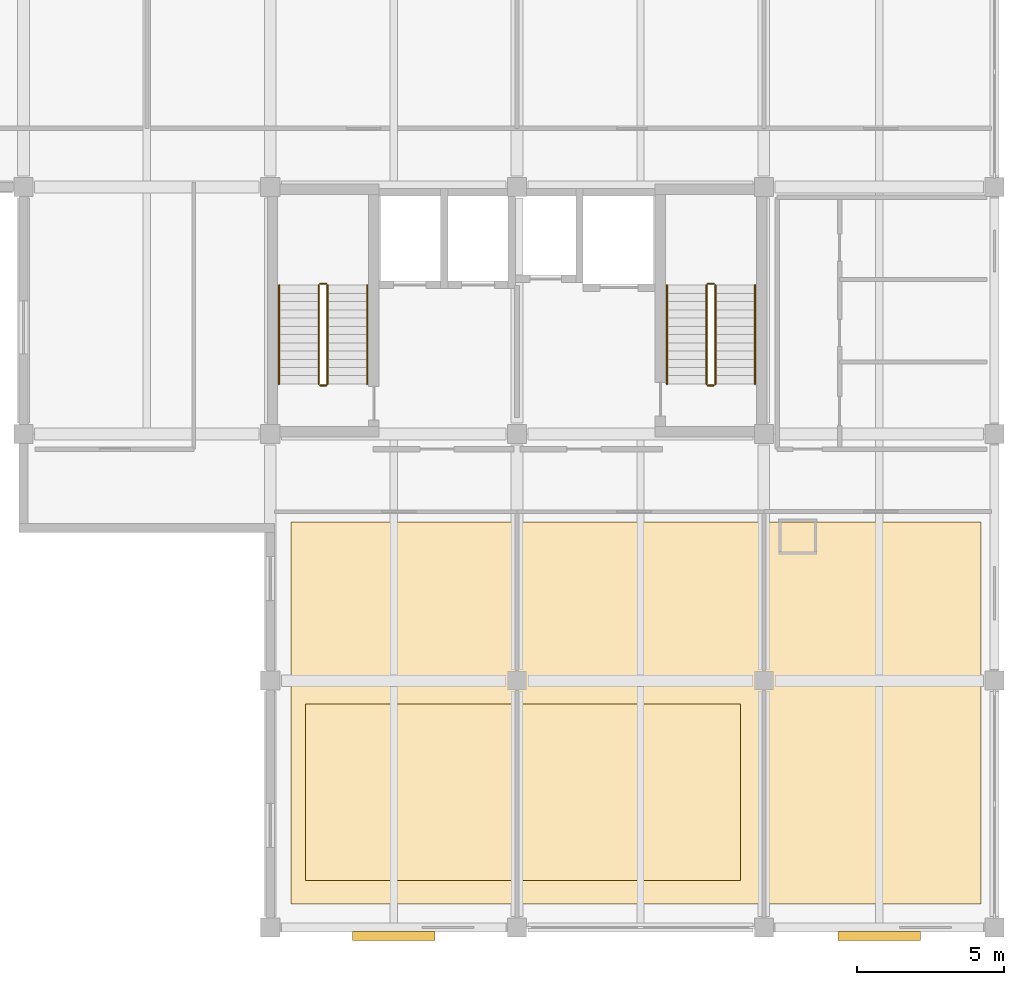
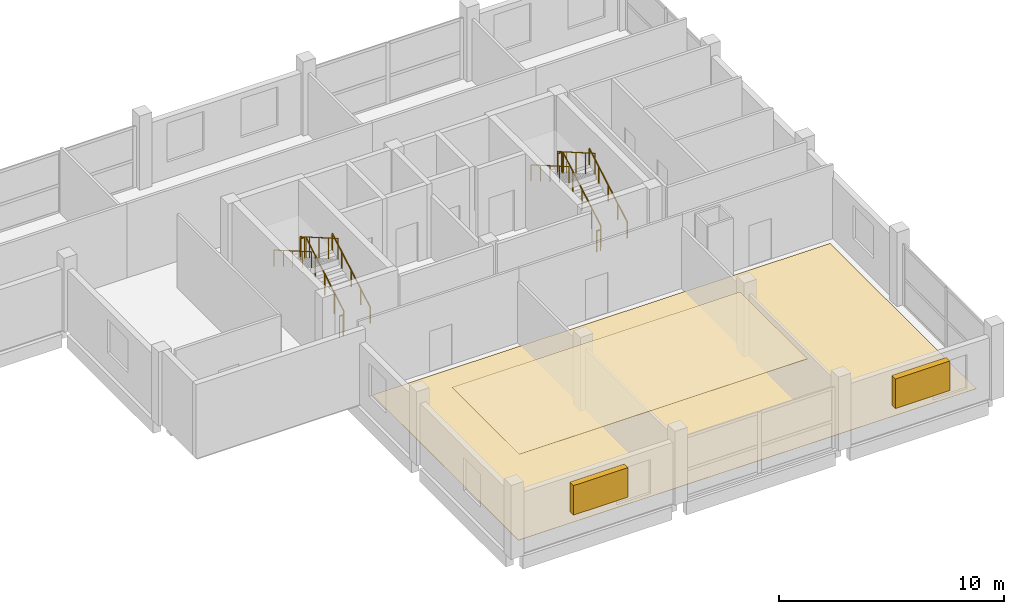
# One storey, part 9 of 9: 12 railings, 2 coverings, 2 shading devices.
"""IFC4 building model written with IfcOpenShell, lengths in metres."""

from ifc_helpers import new_model, si_unit, direction, frame, origin, origin_2d, place, context, subcontext, project, spatial, polyline, rectangle, circle, outline, extrude, material, layer, layer_set, type_object, element, save


model = new_model("IFC4")

# Units and contexts
model_context = context("Model", 3, precision=1e-05, world=origin(), true_north=direction((0.0, 1.0)))
body_context = subcontext(model_context, "Body", "Model", "MODEL_VIEW")
ifc_project = project(units=[si_unit("LENGTHUNIT", "METRE"), si_unit("AREAUNIT", "SQUARE_METRE"), si_unit("VOLUMEUNIT", "CUBIC_METRE"), si_unit("PLANEANGLEUNIT", "RADIAN"), si_unit("MASSUNIT", "GRAM", prefix="KILO")], contexts=[model_context])

# Site, building, storey
site_placement = place(None, origin())
site = spatial("IfcSite", under=ifc_project, at=site_placement, CompositionType="ELEMENT")
building_placement = place(site_placement, origin())
building = spatial("IfcBuilding", under=site, at=building_placement, Name="Brinegate Botanical Conservatory", CompositionType="ELEMENT")
storey_placement = place(building_placement, frame((0.0, 0.0, 57.0)))
storey = spatial("IfcBuildingStorey", under=building, at=storey_placement, Name="L14", CompositionType="ELEMENT", Elevation=57.0)

# Coverings
ifc_material_1 = material(Name="Moisture-resistant acoustic mineral-fibre ceiling board", Category="gypsum")
ifc_layer_1 = layer(ifc_material_1, 0.02001953125, Name="Moisture-resistant acoustic mineral-fibre ceiling board", Category="gypsum")
ifc_layer_set_1 = layer_set([ifc_layer_1], Name="Moisture-resistant acoustic mineral-fibre ceiling board")
covering_type_1 = type_object("IfcCoveringType", Name="Cov_CLG-LAB", PredefinedType="CEILING", material=ifc_layer_set_1)
covering_1_placement = place(storey_placement, frame((0.0, 0.0, 4.0)))
element("IfcCovering", 1, at=covering_1_placement, inside=storey, type_object=covering_type_1, Name="Laboratory acoustic mineral-fibre ceiling L14", PredefinedType="CEILING", context=body_context, shape_type="SweptSolid", body=[
    extrude(outline(polyline([(140.0, 80.0), (154.800048828125, 80.0), (154.800048828125, 86.0), (140.0, 86.0), (140.0, 80.0)])), origin(), (0.0, 0.0, 1.0), 0.02001953125),
])
ifc_material_2 = material(Name="Seamless chemical-resistant terrazzo and epoxy flooring", Category="concrete")
ifc_layer_2 = layer(ifc_material_2, 0.014892578125, Name="Seamless chemical-resistant terrazzo and epoxy flooring", Category="concrete")
ifc_layer_set_2 = layer_set([ifc_layer_2], Name="Seamless chemical-resistant terrazzo and epoxy flooring")
covering_type_2 = type_object("IfcCoveringType", Name="Cov_FLR-LAB", PredefinedType="FLOORING", material=ifc_layer_set_2)
covering_2_placement = place(storey_placement, origin())
element("IfcCovering", 2, at=covering_2_placement, inside=storey, type_object=covering_type_2, Name="Laboratory seamless terrazzo floor finish L14", PredefinedType="FLOORING", context=body_context, shape_type="SweptSolid", body=[
    extrude(outline(polyline([(139.5, 79.199951171875), (163.0, 79.199951171875), (163.0, 92.199951171875), (139.5, 92.199951171875), (139.5, 79.199951171875)])), origin(), (0.0, 0.0, 1.0), 0.014892578125),
])

# Railings
ifc_material_3 = material(Name="Structural steel Q355B / S355 painted tubular guardrail", Category="steel")
railing_type_1 = type_object("IfcRailingType", Name="Rail_ST-GRD", PredefinedType="GUARDRAIL", material=ifc_material_3)
railing_1_placement = place(storey_placement, frame((140.75, 96.89990234375, 0.16162109375)))
element("IfcRailing", 3, at=railing_1_placement, inside=storey, type_object=railing_type_1, Name="L14 ST1 stair guard 1", PredefinedType="GUARDRAIL", context=body_context, shape_type="SweptSolid", body=[
    extrude(circle(Radius=0.02392578125, at=origin_2d()), frame((0.0, 0.0, 1.1259765625), z_axis=(0.0, 0.866190824863, 0.499713372768), x_axis=(-1.0, 0.0, 0.0)), (0.0, 0.0, 1.0), 3.879150390625),
    extrude(circle(Radius=0.02099609375, at=origin_2d()), origin(), (0.0, 0.0, 1.0), 1.101806640625),
    extrude(circle(Radius=0.02099609375, at=origin_2d()), frame((0.0, 0.840087890625, 0.484619140625)), (0.0, 0.0, 1.0), 1.101806640625),
    extrude(circle(Radius=0.02099609375, at=origin_2d()), frame((0.0, 1.68017578125, 0.96923828125)), (0.0, 0.0, 1.0), 1.101806640625),
    extrude(circle(Radius=0.02099609375, at=origin_2d()), frame((0.0, 2.52001953125, 1.453857421875)), (0.0, 0.0, 1.0), 1.101806640625),
    extrude(circle(Radius=0.02099609375, at=origin_2d()), frame((0.0, 3.360107421875, 1.9384765625)), (0.0, 0.0, 1.0), 1.101806640625),
])
railing_2_placement = place(storey_placement, frame((140.699951171875, 100.31005859375, 2.10009765625)))
element("IfcRailing", 4, at=railing_2_placement, inside=storey, type_object=railing_type_1, Name="L14 ST1 stair guard 2", PredefinedType="GUARDRAIL", context=body_context, shape_type="SweptSolid", body=[
    extrude(circle(Radius=0.02392578125, at=origin_2d()), frame((0.0, 0.0, 1.1259765625), z_axis=(-1.0, 0.0, 0.0), x_axis=(0.0, -1.0, 0.0)), (0.0, 0.0, 1.0), 0.199951171875),
    extrude(circle(Radius=0.02099609375, at=origin_2d()), origin(), (0.0, 0.0, 1.0), 1.101806640625),
    extrude(circle(Radius=0.02099609375, at=origin_2d()), frame((-0.199951171875, 0.0, 0.0)), (0.0, 0.0, 1.0), 1.101806640625),
])
railing_3_placement = place(storey_placement, frame((140.449951171875, 100.260009765625, 2.261474609375)))
element("IfcRailing", 5, at=railing_3_placement, inside=storey, type_object=railing_type_1, Name="L14 ST1 stair guard 3", PredefinedType="GUARDRAIL", context=body_context, shape_type="SweptSolid", body=[
    extrude(circle(Radius=0.02392578125, at=origin_2d()), frame((0.0, 0.0, 1.1259765625), z_axis=(0.0, -0.866190824863, 0.499713372768), x_axis=(1.0, 0.0, 0.0)), (0.0, 0.0, 1.0), 3.879150390625),
    extrude(circle(Radius=0.02099609375, at=origin_2d()), origin(), (0.0, 0.0, 1.0), 1.101806640625),
    extrude(circle(Radius=0.02099609375, at=origin_2d()), frame((0.0, -0.840087890625, 0.484619140625)), (0.0, 0.0, 1.0), 1.101806640625),
    extrude(circle(Radius=0.02099609375, at=origin_2d()), frame((0.0, -1.68017578125, 0.96923828125)), (0.0, 0.0, 1.0), 1.101806640625),
    extrude(circle(Radius=0.02099609375, at=origin_2d()), frame((0.0, -2.52001953125, 1.453857421875)), (0.0, 0.0, 1.0), 1.101806640625),
    extrude(circle(Radius=0.02099609375, at=origin_2d()), frame((0.0, -3.360107421875, 1.9384765625)), (0.0, 0.0, 1.0), 1.101806640625),
])
railing_4_placement = place(storey_placement, frame((140.699951171875, 96.85009765625, 0.0)))
element("IfcRailing", 6, at=railing_4_placement, inside=storey, type_object=railing_type_1, Name="L14 ST1 stair guard 4", PredefinedType="GUARDRAIL", context=body_context, shape_type="SweptSolid", body=[
    extrude(circle(Radius=0.02392578125, at=origin_2d()), frame((0.0, 0.0, 1.1259765625), z_axis=(-1.0, 0.0, 0.0), x_axis=(0.0, -1.0, 0.0)), (0.0, 0.0, 1.0), 0.199951171875),
    extrude(circle(Radius=0.02099609375, at=origin_2d()), origin(), (0.0, 0.0, 1.0), 1.101806640625),
    extrude(circle(Radius=0.02099609375, at=origin_2d()), frame((-0.199951171875, 0.0, 0.0)), (0.0, 0.0, 1.0), 1.101806640625),
])
railing_5_placement = place(storey_placement, frame((153.949951171875, 96.89990234375, 0.16162109375)))
element("IfcRailing", 7, at=railing_5_placement, inside=storey, type_object=railing_type_1, Name="L14 ST2 stair guard 1", PredefinedType="GUARDRAIL", context=body_context, shape_type="SweptSolid", body=[
    extrude(circle(Radius=0.02392578125, at=origin_2d()), frame((0.0, 0.0, 1.1259765625), z_axis=(0.0, 0.866190824863, 0.499713372768), x_axis=(-1.0, 0.0, 0.0)), (0.0, 0.0, 1.0), 3.879150390625),
    extrude(circle(Radius=0.02099609375, at=origin_2d()), origin(), (0.0, 0.0, 1.0), 1.101806640625),
    extrude(circle(Radius=0.02099609375, at=origin_2d()), frame((0.0, 0.840087890625, 0.484619140625)), (0.0, 0.0, 1.0), 1.101806640625),
    extrude(circle(Radius=0.02099609375, at=origin_2d()), frame((0.0, 1.68017578125, 0.96923828125)), (0.0, 0.0, 1.0), 1.101806640625),
    extrude(circle(Radius=0.02099609375, at=origin_2d()), frame((0.0, 2.52001953125, 1.453857421875)), (0.0, 0.0, 1.0), 1.101806640625),
    extrude(circle(Radius=0.02099609375, at=origin_2d()), frame((0.0, 3.360107421875, 1.9384765625)), (0.0, 0.0, 1.0), 1.101806640625),
])
railing_6_placement = place(storey_placement, frame((153.89990234375, 100.31005859375, 2.10009765625)))
element("IfcRailing", 8, at=railing_6_placement, inside=storey, type_object=railing_type_1, Name="L14 ST2 stair guard 2", PredefinedType="GUARDRAIL", context=body_context, shape_type="SweptSolid", body=[
    extrude(circle(Radius=0.02392578125, at=origin_2d()), frame((0.0, 0.0, 1.1259765625), z_axis=(-1.0, 0.0, 0.0), x_axis=(0.0, -1.0, 0.0)), (0.0, 0.0, 1.0), 0.199951171875),
    extrude(circle(Radius=0.02099609375, at=origin_2d()), origin(), (0.0, 0.0, 1.0), 1.101806640625),
    extrude(circle(Radius=0.02099609375, at=origin_2d()), frame((-0.199951171875, 0.0, 0.0)), (0.0, 0.0, 1.0), 1.101806640625),
])
railing_7_placement = place(storey_placement, frame((153.64990234375, 100.260009765625, 2.261474609375)))
element("IfcRailing", 9, at=railing_7_placement, inside=storey, type_object=railing_type_1, Name="L14 ST2 stair guard 3", PredefinedType="GUARDRAIL", context=body_context, shape_type="SweptSolid", body=[
    extrude(circle(Radius=0.02392578125, at=origin_2d()), frame((0.0, 0.0, 1.1259765625), z_axis=(0.0, -0.866190824863, 0.499713372768), x_axis=(1.0, 0.0, 0.0)), (0.0, 0.0, 1.0), 3.879150390625),
    extrude(circle(Radius=0.02099609375, at=origin_2d()), origin(), (0.0, 0.0, 1.0), 1.101806640625),
    extrude(circle(Radius=0.02099609375, at=origin_2d()), frame((0.0, -0.840087890625, 0.484619140625)), (0.0, 0.0, 1.0), 1.101806640625),
    extrude(circle(Radius=0.02099609375, at=origin_2d()), frame((0.0, -1.68017578125, 0.96923828125)), (0.0, 0.0, 1.0), 1.101806640625),
    extrude(circle(Radius=0.02099609375, at=origin_2d()), frame((0.0, -2.52001953125, 1.453857421875)), (0.0, 0.0, 1.0), 1.101806640625),
    extrude(circle(Radius=0.02099609375, at=origin_2d()), frame((0.0, -3.360107421875, 1.9384765625)), (0.0, 0.0, 1.0), 1.101806640625),
])
railing_8_placement = place(storey_placement, frame((153.89990234375, 96.85009765625, 0.0)))
element("IfcRailing", 10, at=railing_8_placement, inside=storey, type_object=railing_type_1, Name="L14 ST2 stair guard 4", PredefinedType="GUARDRAIL", context=body_context, shape_type="SweptSolid", body=[
    extrude(circle(Radius=0.02392578125, at=origin_2d()), frame((0.0, 0.0, 1.1259765625), z_axis=(-1.0, 0.0, 0.0), x_axis=(0.0, -1.0, 0.0)), (0.0, 0.0, 1.0), 0.199951171875),
    extrude(circle(Radius=0.02099609375, at=origin_2d()), origin(), (0.0, 0.0, 1.0), 1.101806640625),
    extrude(circle(Radius=0.02099609375, at=origin_2d()), frame((-0.199951171875, 0.0, 0.0)), (0.0, 0.0, 1.0), 1.101806640625),
])
ifc_material_4 = material(Name="Brushed stainless steel S355 handrail", Category="steel")
railing_type_2 = type_object("IfcRailingType", Name="Rail_ST-HND", PredefinedType="HANDRAIL", material=ifc_material_4)
railing_9_placement = place(storey_placement, frame((142.10009765625, 96.89990234375, 0.16162109375)))
element("IfcRailing", 11, at=railing_9_placement, inside=storey, type_object=railing_type_2, Name="L14 ST1 stair handrail 1", PredefinedType="HANDRAIL", context=body_context, shape_type="SweptSolid", body=[
    extrude(circle(Radius=0.02392578125, at=origin_2d()), frame((0.0, 0.0, 0.8759765625), z_axis=(0.0, 0.866190824863, 0.499713372768), x_axis=(-1.0, 0.0, 0.0)), (0.0, 0.0, 1.0), 3.879150390625),
    extrude(circle(Radius=0.02099609375, at=origin_2d()), origin(), (0.0, 0.0, 1.0), 0.851806640625),
    extrude(circle(Radius=0.02099609375, at=origin_2d()), frame((0.0, 0.840087890625, 0.484619140625)), (0.0, 0.0, 1.0), 0.851806640625),
    extrude(circle(Radius=0.02099609375, at=origin_2d()), frame((0.0, 1.68017578125, 0.96923828125)), (0.0, 0.0, 1.0), 0.851806640625),
    extrude(circle(Radius=0.02099609375, at=origin_2d()), frame((0.0, 2.52001953125, 1.453857421875)), (0.0, 0.0, 1.0), 0.851806640625),
    extrude(circle(Radius=0.02099609375, at=origin_2d()), frame((0.0, 3.360107421875, 1.9384765625)), (0.0, 0.0, 1.0), 0.851806640625),
])
railing_10_placement = place(storey_placement, frame((139.10009765625, 100.260009765625, 2.261474609375)))
element("IfcRailing", 12, at=railing_10_placement, inside=storey, type_object=railing_type_2, Name="L14 ST1 stair handrail 2", PredefinedType="HANDRAIL", context=body_context, shape_type="SweptSolid", body=[
    extrude(circle(Radius=0.02392578125, at=origin_2d()), frame((0.0, 0.0, 0.8759765625), z_axis=(0.0, -0.866190824863, 0.499713372768), x_axis=(1.0, 0.0, 0.0)), (0.0, 0.0, 1.0), 3.879150390625),
    extrude(circle(Radius=0.02099609375, at=origin_2d()), origin(), (0.0, 0.0, 1.0), 0.851806640625),
    extrude(circle(Radius=0.02099609375, at=origin_2d()), frame((0.0, -0.840087890625, 0.484619140625)), (0.0, 0.0, 1.0), 0.851806640625),
    extrude(circle(Radius=0.02099609375, at=origin_2d()), frame((0.0, -1.68017578125, 0.96923828125)), (0.0, 0.0, 1.0), 0.851806640625),
    extrude(circle(Radius=0.02099609375, at=origin_2d()), frame((0.0, -2.52001953125, 1.453857421875)), (0.0, 0.0, 1.0), 0.851806640625),
    extrude(circle(Radius=0.02099609375, at=origin_2d()), frame((0.0, -3.360107421875, 1.9384765625)), (0.0, 0.0, 1.0), 0.851806640625),
])
railing_11_placement = place(storey_placement, frame((155.300048828125, 96.89990234375, 0.16162109375)))
element("IfcRailing", 13, at=railing_11_placement, inside=storey, type_object=railing_type_2, Name="L14 ST2 stair handrail 1", PredefinedType="HANDRAIL", context=body_context, shape_type="SweptSolid", body=[
    extrude(circle(Radius=0.02392578125, at=origin_2d()), frame((0.0, 0.0, 0.8759765625), z_axis=(0.0, 0.866190824863, 0.499713372768), x_axis=(-1.0, 0.0, 0.0)), (0.0, 0.0, 1.0), 3.879150390625),
    extrude(circle(Radius=0.02099609375, at=origin_2d()), origin(), (0.0, 0.0, 1.0), 0.851806640625),
    extrude(circle(Radius=0.02099609375, at=origin_2d()), frame((0.0, 0.840087890625, 0.484619140625)), (0.0, 0.0, 1.0), 0.851806640625),
    extrude(circle(Radius=0.02099609375, at=origin_2d()), frame((0.0, 1.68017578125, 0.96923828125)), (0.0, 0.0, 1.0), 0.851806640625),
    extrude(circle(Radius=0.02099609375, at=origin_2d()), frame((0.0, 2.52001953125, 1.453857421875)), (0.0, 0.0, 1.0), 0.851806640625),
    extrude(circle(Radius=0.02099609375, at=origin_2d()), frame((0.0, 3.360107421875, 1.9384765625)), (0.0, 0.0, 1.0), 0.851806640625),
])
railing_12_placement = place(storey_placement, frame((152.300048828125, 100.260009765625, 2.261474609375)))
element("IfcRailing", 14, at=railing_12_placement, inside=storey, type_object=railing_type_2, Name="L14 ST2 stair handrail 2", PredefinedType="HANDRAIL", context=body_context, shape_type="SweptSolid", body=[
    extrude(circle(Radius=0.02392578125, at=origin_2d()), frame((0.0, 0.0, 0.8759765625), z_axis=(0.0, -0.866190824863, 0.499713372768), x_axis=(1.0, 0.0, 0.0)), (0.0, 0.0, 1.0), 3.879150390625),
    extrude(circle(Radius=0.02099609375, at=origin_2d()), origin(), (0.0, 0.0, 1.0), 0.851806640625),
    extrude(circle(Radius=0.02099609375, at=origin_2d()), frame((0.0, -0.840087890625, 0.484619140625)), (0.0, 0.0, 1.0), 0.851806640625),
    extrude(circle(Radius=0.02099609375, at=origin_2d()), frame((0.0, -1.68017578125, 0.96923828125)), (0.0, 0.0, 1.0), 0.851806640625),
    extrude(circle(Radius=0.02099609375, at=origin_2d()), frame((0.0, -2.52001953125, 1.453857421875)), (0.0, 0.0, 1.0), 0.851806640625),
    extrude(circle(Radius=0.02099609375, at=origin_2d()), frame((0.0, -3.360107421875, 1.9384765625)), (0.0, 0.0, 1.0), 0.851806640625),
])

# Shading devices
ifc_material_5 = material(Name="Anodised aluminium AW-6063-T6 solar-storm fin bank", Category="aluminium")
shading_device_type = type_object("IfcShadingDeviceType", Name="Shade_SLV-02", PredefinedType="JALOUSIE", material=ifc_material_5)
for number, where, z_axis, x_axis, name in (
    (15, (143.0, 78.110107421875, 1.39990234375), (0.0, 0.0, 1.0), (1.0, 0.0, 0.0), "Research lab south storm louvre L14.1"),
    (16, (159.52490234375, 78.110107421875, 1.39990234375), (0.0, 0.0, 1.0), (1.0, 0.0, 0.0), "Research lab south storm louvre L14.3"),
):
    element("IfcShadingDevice", number, at=place(storey_placement, frame(where, z_axis=z_axis, x_axis=x_axis)), inside=storey, type_object=shading_device_type, Name=name, PredefinedType="JALOUSIE", context=body_context, shape_type="SweptSolid", body=[
        extrude(rectangle(XDim=2.800048828125, YDim=0.320068359375, at=origin_2d()), origin(), (0.0, 0.0, 1.0), 1.60009765625),
    ])

save(model, "model.ifc")
